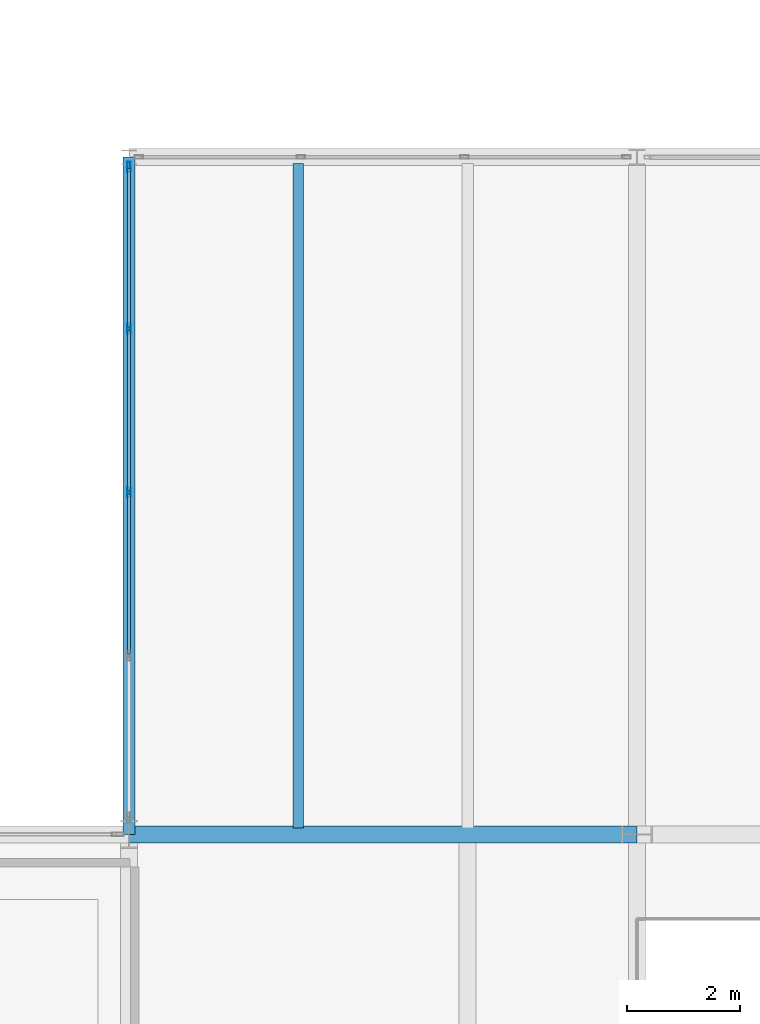
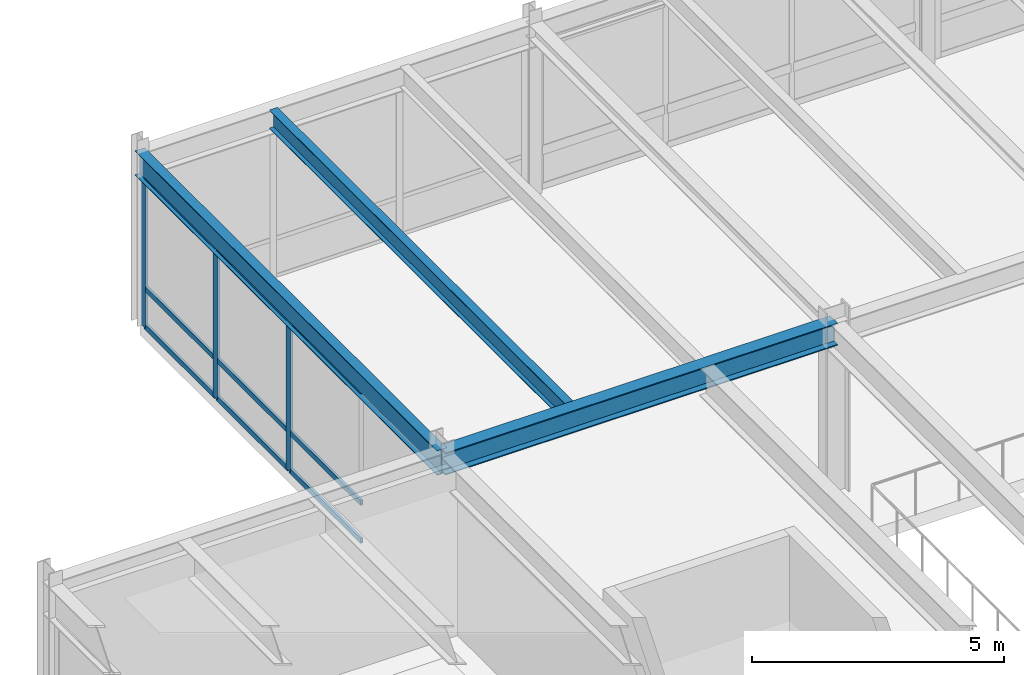
# One storey, part 57 of 127: 12 members, 3 beams, 1 element without a shape of its own.
"""IFC4 building model written with IfcOpenShell, lengths in metres."""

from ifc_helpers import new_model, si_unit, direction, frame, origin, origin_2d, place, context, subcontext, project, spatial, hollow_rectangle, i_section, extrude, material, layer, layer_set, material_profile, profile_set, type_object, element, aggregate, save


model = new_model("IFC4")

# Units and contexts
model_context = context("Model", 3, precision=1e-05, world=origin(), true_north=direction((0.0, 1.0)))
body_context = subcontext(model_context, "Body", "Model", "MODEL_VIEW")
ifc_project = project(units=[si_unit("LENGTHUNIT", "METRE"), si_unit("AREAUNIT", "SQUARE_METRE"), si_unit("VOLUMEUNIT", "CUBIC_METRE"), si_unit("PLANEANGLEUNIT", "RADIAN"), si_unit("MASSUNIT", "GRAM", prefix="KILO")], contexts=[model_context])

# Site, building, storey
site_placement = place(None, origin())
site = spatial("IfcSite", under=ifc_project, at=site_placement, CompositionType="ELEMENT")
building_placement = place(site_placement, origin())
building = spatial("IfcBuilding", under=site, at=building_placement, Name="Montelvaro Courts of Justice", CompositionType="ELEMENT")
storey_placement = place(building_placement, frame((0.0, 0.0, 5.39990234375)))
storey = spatial("IfcBuildingStorey", under=building, at=storey_placement, Name="L01", CompositionType="ELEMENT", Elevation=5.39990234375)

# Beams
ifc_material_1 = material(Name="Steel S355", Category="steel")
ifc_material_profile_1 = material_profile(ifc_material_1, i_section(OverallWidth=0.300048828125, OverallDepth=0.5400390625, WebThickness=0.012451171875, FlangeThickness=0.02392578125, at=origin_2d()), Name="HEA 550")
ifc_profile_set_1 = profile_set([ifc_material_profile_1], Name="Steel S355")
beam_type_1 = type_object("IfcBeamType", Name="Beam_HEA550", PredefinedType="USERDEFINED", material=ifc_profile_set_1)
beam_1_placement = place(storey_placement, frame((27.0, 96.0, 3.91015625), z_axis=(1.0, 0.0, 0.0), x_axis=(0.0, 1.0, 0.0)))
element("IfcBeam", 1, at=beam_1_placement, inside=storey, type_object=beam_type_1, Name="Beam B-20 L01", ObjectType="GIRDER", PredefinedType="USERDEFINED", context=body_context, shape_type="SweptSolid", body=[
    extrude(i_section(OverallWidth=0.300048828125, OverallDepth=0.5400390625, WebThickness=0.012451171875, FlangeThickness=0.02392578125, at=origin_2d()), origin(), (0.0, 0.0, 1.0), 9.0),
])
ifc_material_profile_2 = material_profile(ifc_material_1, i_section(OverallWidth=0.18994140625, OverallDepth=0.449951171875, WebThickness=0.009521484375, FlangeThickness=0.0146484375, at=origin_2d()), Name="IPE 450")
ifc_profile_set_2 = profile_set([ifc_material_profile_2], Name="Steel S355")
beam_type_2 = type_object("IfcBeamType", Name="Beam_IPE450", PredefinedType="BEAM", material=ifc_profile_set_2)
beam_2_placement = place(storey_placement, frame((30.0, 96.110107421875, 3.955078125), z_axis=(0.0, 1.0, 0.0), x_axis=(-1.0, 0.0, 0.0)))
element("IfcBeam", 2, at=beam_2_placement, inside=storey, type_object=beam_type_2, Name="Beam B-09 L01", PredefinedType="BEAM", context=body_context, shape_type="SweptSolid", body=[
    extrude(i_section(OverallWidth=0.18994140625, OverallDepth=0.449951171875, WebThickness=0.009521484375, FlangeThickness=0.0146484375, at=origin_2d()), origin(), (0.0, 0.0, 1.0), 11.77978515625),
])
ifc_material_profile_3 = material_profile(ifc_material_1, i_section(OverallWidth=0.219970703125, OverallDepth=0.60009765625, WebThickness=0.011962890625, FlangeThickness=0.01904296875, at=origin_2d()), Name="IPE 600")
ifc_profile_set_3 = profile_set([ifc_material_profile_3], Name="Steel S355")
beam_type_3 = type_object("IfcBeamType", Name="Beam_IPE600", PredefinedType="USERDEFINED", material=ifc_profile_set_3)
beam_3_placement = place(storey_placement, frame((27.0, 96.0, 3.880126953125), z_axis=(0.0, 1.0, 0.0), x_axis=(-1.0, 0.0, 0.0)))
element("IfcBeam", 3, at=beam_3_placement, inside=storey, type_object=beam_type_3, Name="Beam B-12 L01", ObjectType="GIRDER", PredefinedType="USERDEFINED", context=body_context, shape_type="SweptSolid", body=[
    extrude(i_section(OverallWidth=0.219970703125, OverallDepth=0.60009765625, WebThickness=0.011962890625, FlangeThickness=0.01904296875, at=origin_2d()), origin(), (0.0, 0.0, 1.0), 12.0),
])

# Curtain wall, members
ifc_material_2 = material(Name="Anodised aluminium EN AW-6063", Category="aluminium")
ifc_layer = layer(ifc_material_2, 0.159912109375)
ifc_layer_set = layer_set([ifc_layer], Name="Anodised aluminium EN AW-6063")
curtain_wall_type = type_object("IfcCurtainWallType", Name="CurtainWall_19_1159x418", PredefinedType="USERDEFINED", material=ifc_layer_set)
curtain_wall_placement = place(storey_placement, origin())
curtain_wall = element("IfcCurtainWall", 4, at=curtain_wall_placement, inside=storey, type_object=curtain_wall_type, Name="Curtain Wall CW-19 (L01)", ObjectType="CURTAIN WALL", PredefinedType="USERDEFINED")
ifc_material_profile_4 = material_profile(ifc_material_2, hollow_rectangle(XDim=0.06005859375, YDim=0.179931640625, WallThickness=0.00439453125, at=origin_2d()), Name="ALU-M 60x180")
ifc_profile_set_4 = profile_set([ifc_material_profile_4], Name="Anodised aluminium EN AW-6063")
member_type_1 = type_object("IfcMemberType", Name="CurtainWall_Mullion_60x180", PredefinedType="MULLION", material=ifc_profile_set_4)
member_1_placement = place(storey_placement, frame((27.0, 107.824951171875, 0.0), z_axis=(0.0, 0.0, 1.0), x_axis=(1.0, 0.0, 0.0)))
member_1 = element("IfcMember", 5, at=member_1_placement, type_object=member_type_1, Name="CW-19 mullion 1", PredefinedType="MULLION", context=body_context, shape_type="SweptSolid", body=[
    extrude(hollow_rectangle(XDim=0.06005859375, YDim=0.179931640625, WallThickness=0.00439453125, at=origin_2d()), origin(), (0.0, 0.0, 1.0), 3.5751953125),
])
member_2_placement = place(storey_placement, frame((27.0, 104.95751953125, 0.0), z_axis=(0.0, 0.0, 1.0), x_axis=(1.0, 0.0, 0.0)))
member_2 = element("IfcMember", 6, at=member_2_placement, type_object=member_type_1, Name="CW-19 mullion 2", PredefinedType="MULLION", context=body_context, shape_type="SweptSolid", body=[
    extrude(hollow_rectangle(XDim=0.06005859375, YDim=0.179931640625, WallThickness=0.00439453125, at=origin_2d()), origin(), (0.0, 0.0, 1.0), 3.5751953125),
])
member_3_placement = place(storey_placement, frame((27.0, 102.06005859375, 0.0), z_axis=(0.0, 0.0, 1.0), x_axis=(1.0, 0.0, 0.0)))
member_3 = element("IfcMember", 7, at=member_3_placement, type_object=member_type_1, Name="CW-19 mullion 3", PredefinedType="MULLION", context=body_context, shape_type="SweptSolid", body=[
    extrude(hollow_rectangle(XDim=0.06005859375, YDim=0.179931640625, WallThickness=0.00439453125, at=origin_2d()), origin(), (0.0, 0.0, 1.0), 3.5751953125),
])
ifc_material_profile_5 = material_profile(ifc_material_2, hollow_rectangle(XDim=0.06005859375, YDim=0.1298828125, WallThickness=0.00390625, at=origin_2d()), Name="ALU-T 60x130")
ifc_profile_set_5 = profile_set([ifc_material_profile_5], Name="Anodised aluminium EN AW-6063")
member_type_2 = type_object("IfcMemberType", Name="CurtainWall_Transom_60x130", PredefinedType="USERDEFINED", material=ifc_profile_set_5)
member_4_placement = place(storey_placement, frame((27.0, 107.794921875, 0.030029296875), z_axis=(0.0, -1.0, 0.0), x_axis=(1.0, 0.0, 0.0)))
member_4 = element("IfcMember", 8, at=member_4_placement, type_object=member_type_2, Name="CW-19 transom 1.1", ObjectType="TRANSOM", PredefinedType="USERDEFINED", context=body_context, shape_type="SweptSolid", body=[
    extrude(hollow_rectangle(XDim=0.06005859375, YDim=0.1298828125, WallThickness=0.00390625, at=origin_2d()), origin(), (0.0, 0.0, 1.0), 2.807373046875),
])
member_5_placement = place(storey_placement, frame((27.0, 107.794921875, 0.9501953125), z_axis=(0.0, -1.0, 0.0), x_axis=(1.0, 0.0, 0.0)))
member_5 = element("IfcMember", 9, at=member_5_placement, type_object=member_type_2, Name="CW-19 transom 1.2", ObjectType="TRANSOM", PredefinedType="USERDEFINED", context=body_context, shape_type="SweptSolid", body=[
    extrude(hollow_rectangle(XDim=0.06005859375, YDim=0.1298828125, WallThickness=0.00390625, at=origin_2d()), origin(), (0.0, 0.0, 1.0), 2.807373046875),
])
member_6_placement = place(storey_placement, frame((27.0, 107.794921875, 3.545166015625), z_axis=(0.0, -1.0, 0.0), x_axis=(1.0, 0.0, 0.0)))
member_6 = element("IfcMember", 10, at=member_6_placement, type_object=member_type_2, Name="CW-19 transom 1.3", ObjectType="TRANSOM", PredefinedType="USERDEFINED", context=body_context, shape_type="SweptSolid", body=[
    extrude(hollow_rectangle(XDim=0.06005859375, YDim=0.1298828125, WallThickness=0.00390625, at=origin_2d()), origin(), (0.0, 0.0, 1.0), 2.807373046875),
])
member_7_placement = place(storey_placement, frame((27.0, 104.927490234375, 0.030029296875), z_axis=(0.0, -1.0, 0.0), x_axis=(1.0, 0.0, 0.0)))
member_7 = element("IfcMember", 11, at=member_7_placement, type_object=member_type_2, Name="CW-19 transom 2.1", ObjectType="TRANSOM", PredefinedType="USERDEFINED", context=body_context, shape_type="SweptSolid", body=[
    extrude(hollow_rectangle(XDim=0.06005859375, YDim=0.1298828125, WallThickness=0.00390625, at=origin_2d()), origin(), (0.0, 0.0, 1.0), 2.83740234375),
])
member_8_placement = place(storey_placement, frame((27.0, 104.927490234375, 0.9501953125), z_axis=(0.0, -1.0, 0.0), x_axis=(1.0, 0.0, 0.0)))
member_8 = element("IfcMember", 12, at=member_8_placement, type_object=member_type_2, Name="CW-19 transom 2.2", ObjectType="TRANSOM", PredefinedType="USERDEFINED", context=body_context, shape_type="SweptSolid", body=[
    extrude(hollow_rectangle(XDim=0.06005859375, YDim=0.1298828125, WallThickness=0.00390625, at=origin_2d()), origin(), (0.0, 0.0, 1.0), 2.83740234375),
])
member_9_placement = place(storey_placement, frame((27.0, 104.927490234375, 3.545166015625), z_axis=(0.0, -1.0, 0.0), x_axis=(1.0, 0.0, 0.0)))
member_9 = element("IfcMember", 13, at=member_9_placement, type_object=member_type_2, Name="CW-19 transom 2.3", ObjectType="TRANSOM", PredefinedType="USERDEFINED", context=body_context, shape_type="SweptSolid", body=[
    extrude(hollow_rectangle(XDim=0.06005859375, YDim=0.1298828125, WallThickness=0.00390625, at=origin_2d()), origin(), (0.0, 0.0, 1.0), 2.83740234375),
])
member_10_placement = place(storey_placement, frame((27.0, 102.030029296875, 0.030029296875), z_axis=(0.0, -1.0, 0.0), x_axis=(1.0, 0.0, 0.0)))
member_10 = element("IfcMember", 14, at=member_10_placement, type_object=member_type_2, Name="CW-19 transom 3.1", ObjectType="TRANSOM", PredefinedType="USERDEFINED", context=body_context, shape_type="SweptSolid", body=[
    extrude(hollow_rectangle(XDim=0.06005859375, YDim=0.1298828125, WallThickness=0.00390625, at=origin_2d()), origin(), (0.0, 0.0, 1.0), 2.837646484375),
])
member_11_placement = place(storey_placement, frame((27.0, 102.030029296875, 0.9501953125), z_axis=(0.0, -1.0, 0.0), x_axis=(1.0, 0.0, 0.0)))
member_11 = element("IfcMember", 15, at=member_11_placement, type_object=member_type_2, Name="CW-19 transom 3.2", ObjectType="TRANSOM", PredefinedType="USERDEFINED", context=body_context, shape_type="SweptSolid", body=[
    extrude(hollow_rectangle(XDim=0.06005859375, YDim=0.1298828125, WallThickness=0.00390625, at=origin_2d()), origin(), (0.0, 0.0, 1.0), 2.837646484375),
])
member_12_placement = place(storey_placement, frame((27.0, 102.030029296875, 3.545166015625), z_axis=(0.0, -1.0, 0.0), x_axis=(1.0, 0.0, 0.0)))
member_12 = element("IfcMember", 16, at=member_12_placement, type_object=member_type_2, Name="CW-19 transom 3.3", ObjectType="TRANSOM", PredefinedType="USERDEFINED", context=body_context, shape_type="SweptSolid", body=[
    extrude(hollow_rectangle(XDim=0.06005859375, YDim=0.1298828125, WallThickness=0.00390625, at=origin_2d()), origin(), (0.0, 0.0, 1.0), 2.837646484375),
])
aggregate(curtain_wall, [member_1, member_2, member_3, member_4, member_5, member_6, member_7, member_8, member_9, member_10, member_11, member_12])

save(model, "model.ifc")
